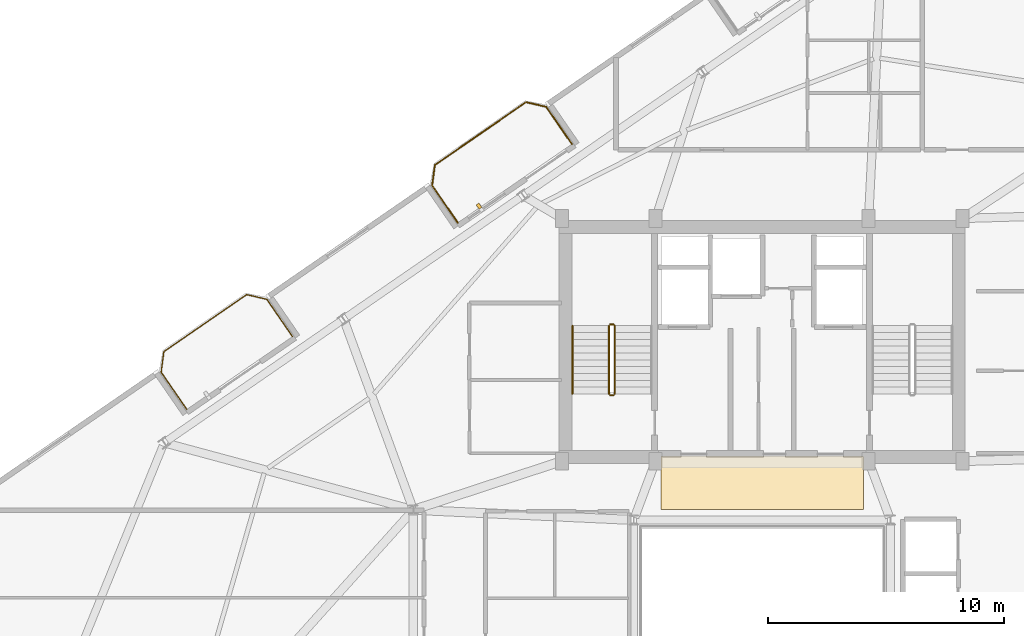
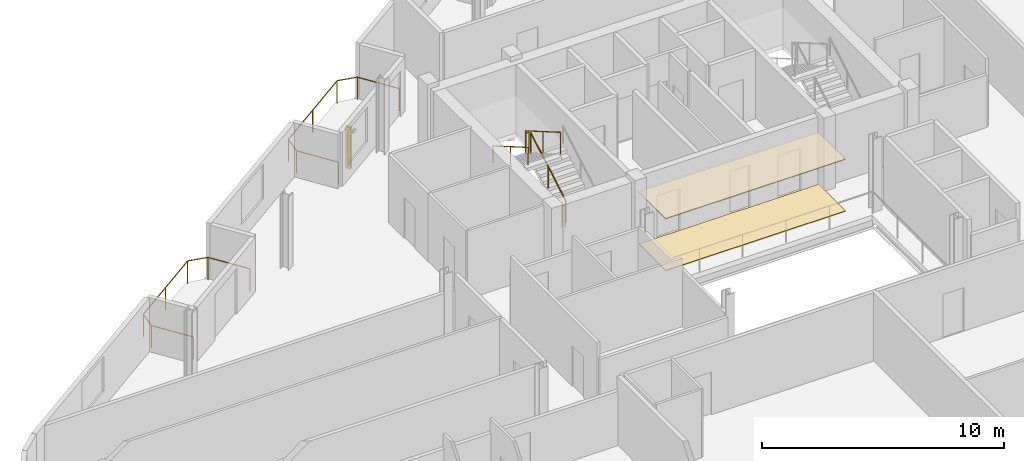
# One storey, part 22 of 23: 7 railings, 2 coverings, 1 shading device.
"""IFC4 building model written with IfcOpenShell, lengths in metres."""

from ifc_helpers import new_model, si_unit, direction, frame, origin, origin_2d, place, context, subcontext, project, spatial, rectangle, circle, extrude, source, transform, mapped, material, layer, layer_set, type_object, element, save


model = new_model("IFC4")

# Units and contexts
model_context = context("Model", 3, precision=1e-05, world=origin(), true_north=direction((0.0, 1.0)))
body_context = subcontext(model_context, "Body", "Model", "MODEL_VIEW")
ifc_project = project(units=[si_unit("LENGTHUNIT", "METRE"), si_unit("AREAUNIT", "SQUARE_METRE"), si_unit("VOLUMEUNIT", "CUBIC_METRE"), si_unit("PLANEANGLEUNIT", "RADIAN"), si_unit("MASSUNIT", "GRAM", prefix="KILO")], contexts=[model_context])

# Site, building, storey
site_placement = place(None, origin())
site = spatial("IfcSite", under=ifc_project, at=site_placement, CompositionType="ELEMENT")
building_placement = place(site_placement, origin())
building = spatial("IfcBuilding", under=site, at=building_placement, Name="Varnelok Gate Tower", CompositionType="ELEMENT")
storey_placement = place(building_placement, frame((0.0, 0.0, 273.0)))
storey = spatial("IfcBuildingStorey", under=building, at=storey_placement, Name="L70", CompositionType="ELEMENT", Elevation=273.0)

# Railings
ifc_material_1 = material(Name="Low-E Laminated Double Glazing IGU", Category="glass")
railing_type_1 = type_object("IfcRailingType", Name="RL-BALC-1150", PredefinedType="BALUSTRADE", material=ifc_material_1)
railing_1_placement = place(storey_placement, frame((14.781982421875, 30.944580078125, 0.0)))
element("IfcRailing", 1, at=railing_1_placement, inside=storey, type_object=railing_type_1, Name="L70 North Terrace Balustrade 4", PredefinedType="BALUSTRADE", context=body_context, shape_type="SweptSolid", body=[
    extrude(circle(Radius=0.02392578125, at=origin_2d()), frame((0.0, 0.0, 1.1259765625), z_axis=(-0.567284155424, 0.82352212296, 0.0), x_axis=(-0.82352212296, -0.567284155424, 0.0)), (0.0, 0.0, 1.0), 1.919921875),
    extrude(circle(Radius=0.02392578125, at=origin_2d()), frame((-1.089111328125, 1.5810546875, 1.1259765625), z_axis=(0.133475040405, 0.991052175008, 0.0), x_axis=(-0.991052175008, 0.133475040405, 0.0)), (0.0, 0.0, 1.0), 0.8779296875),
    extrude(circle(Radius=0.02392578125, at=origin_2d()), frame((-0.971923828125, 2.451171875, 1.1259765625), z_axis=(0.82355749358, 0.567232804735, 0.0), x_axis=(-0.567232804735, 0.82355749358, 0.0)), (0.0, 0.0, 1.0), 4.26708984375),
    extrude(circle(Radius=0.02392578125, at=origin_2d()), frame((2.542236328125, 4.87158203125, 1.1259765625), z_axis=(0.973511928193, -0.228636229993, 0.0), x_axis=(0.228636229993, 0.973511928193, 0.0)), (0.0, 0.0, 1.0), 0.877685546875),
    extrude(circle(Radius=0.02392578125, at=origin_2d()), frame((3.396728515625, 4.6708984375, 1.1259765625), z_axis=(0.567284155424, -0.82352212296, 0.0), x_axis=(0.82352212296, 0.567284155424, 0.0)), (0.0, 0.0, 1.0), 1.919921875),
    extrude(circle(Radius=0.02099609375, at=origin_2d()), origin(), (0.0, 0.0, 1.0), 1.101806640625),
    extrude(circle(Radius=0.02099609375, at=origin_2d()), frame((-1.089111328125, 1.5810546875, 0.0)), (0.0, 0.0, 1.0), 1.101806640625),
    extrude(circle(Radius=0.02099609375, at=origin_2d()), frame((-0.971923828125, 2.451171875, 0.0)), (0.0, 0.0, 1.0), 1.101806640625),
    extrude(circle(Radius=0.02099609375, at=origin_2d()), frame((0.78515625, 3.661376953125, 0.0)), (0.0, 0.0, 1.0), 1.101806640625),
    extrude(circle(Radius=0.02099609375, at=origin_2d()), frame((2.542236328125, 4.87158203125, 0.0)), (0.0, 0.0, 1.0), 1.101806640625),
    extrude(circle(Radius=0.02099609375, at=origin_2d()), frame((3.396728515625, 4.6708984375, 0.0)), (0.0, 0.0, 1.0), 1.101806640625),
    extrude(circle(Radius=0.02099609375, at=origin_2d()), frame((4.48583984375, 3.08984375, 0.0)), (0.0, 0.0, 1.0), 1.101806640625),
])
railing_2_placement = place(storey_placement, frame((26.2841796875, 38.86767578125, 0.0)))
element("IfcRailing", 2, at=railing_2_placement, inside=storey, type_object=railing_type_1, Name="L70 North Terrace Balustrade 5", PredefinedType="BALUSTRADE", context=body_context, shape_type="SweptSolid", body=[
    extrude(circle(Radius=0.02392578125, at=origin_2d()), frame((0.0, 0.0, 1.1259765625), z_axis=(-0.567197904061, 0.82358153065, 0.0), x_axis=(-0.82358153065, -0.567197904061, 0.0)), (0.0, 0.0, 1.0), 1.919677734375),
    extrude(circle(Radius=0.02392578125, at=origin_2d()), frame((-1.0888671875, 1.5810546875, 1.1259765625), z_axis=(0.133238627421, 0.991083986433, 0.0), x_axis=(-0.991083986433, 0.133238627421, 0.0)), (0.0, 0.0, 1.0), 0.877685546875),
    extrude(circle(Radius=0.02392578125, at=origin_2d()), frame((-0.971923828125, 2.450927734375, 1.1259765625), z_axis=(0.823523239622, 0.567282534371, 0.0), x_axis=(-0.567282534371, 0.823523239622, 0.0)), (0.0, 0.0, 1.0), 4.699951171875),
    extrude(circle(Radius=0.02392578125, at=origin_2d()), frame((2.898681640625, 5.1171875, 1.1259765625), z_axis=(0.973526462254, -0.228574336467, 0.0), x_axis=(0.228574336467, 0.973526462254, 0.0)), (0.0, 0.0, 1.0), 0.8779296875),
    extrude(circle(Radius=0.02392578125, at=origin_2d()), frame((3.75341796875, 4.91650390625, 1.1259765625), z_axis=(0.567284155424, -0.82352212296, 0.0), x_axis=(0.82352212296, 0.567284155424, 0.0)), (0.0, 0.0, 1.0), 1.919921875),
    extrude(circle(Radius=0.02099609375, at=origin_2d()), origin(), (0.0, 0.0, 1.0), 1.101806640625),
    extrude(circle(Radius=0.02099609375, at=origin_2d()), frame((-1.0888671875, 1.5810546875, 0.0)), (0.0, 0.0, 1.0), 1.101806640625),
    extrude(circle(Radius=0.02099609375, at=origin_2d()), frame((-0.971923828125, 2.450927734375, 0.0)), (0.0, 0.0, 1.0), 1.101806640625),
    extrude(circle(Radius=0.02099609375, at=origin_2d()), frame((0.96337890625, 3.7841796875, 0.0)), (0.0, 0.0, 1.0), 1.101806640625),
    extrude(circle(Radius=0.02099609375, at=origin_2d()), frame((2.898681640625, 5.1171875, 0.0)), (0.0, 0.0, 1.0), 1.101806640625),
    extrude(circle(Radius=0.02099609375, at=origin_2d()), frame((3.75341796875, 4.91650390625, 0.0)), (0.0, 0.0, 1.0), 1.101806640625),
    extrude(circle(Radius=0.02099609375, at=origin_2d()), frame((4.842529296875, 3.33544921875, 0.0)), (0.0, 0.0, 1.0), 1.101806640625),
])
ifc_material_2 = material(Name="Brushed Stainless Steel AISI 316", Category="steel")
railing_type_2 = type_object("IfcRailingType", Name="RL-HANDRAIL-900", PredefinedType="HANDRAIL", material=ifc_material_2)
railing_3_placement = place(storey_placement, frame((31.14990234375, 34.5, 2.01806640625)))
element("IfcRailing", 3, at=railing_3_placement, inside=storey, type_object=railing_type_2, Name="L70 ST-1 stair handrail 2", PredefinedType="HANDRAIL", context=body_context, shape_type="SweptSolid", body=[
    extrude(circle(Radius=0.02392578125, at=origin_2d()), frame((0.0, 0.0, 0.8759765625), z_axis=(0.0, -0.865038774852, 0.501705010941), x_axis=(1.0, 0.0, 0.0)), (0.0, 0.0, 1.0), 3.352294921875),
    extrude(circle(Radius=0.02099609375, at=origin_2d()), origin(), (0.0, 0.0, 1.0), 0.851806640625),
    extrude(circle(Radius=0.02099609375, at=origin_2d()), frame((0.0, -1.449951171875, 0.8408203125)), (0.0, 0.0, 1.0), 0.851806640625),
    extrude(circle(Radius=0.02099609375, at=origin_2d()), frame((0.0, -2.89990234375, 1.681884765625)), (0.0, 0.0, 1.0), 0.851806640625),
])
ifc_material_3 = material(Name="Galvanized Steel Grade S350GD", Category="steel")
railing_type_3 = type_object("IfcRailingType", Name="RL-STAIR-GUARD1120", PredefinedType="GUARDRAIL", material=ifc_material_3)
railing_4_placement = place(storey_placement, frame((32.949951171875, 31.60009765625, 0.168212890625)))
element("IfcRailing", 4, at=railing_4_placement, inside=storey, type_object=railing_type_3, Name="L70 ST-1 stair guard 1", PredefinedType="GUARDRAIL", context=body_context, shape_type="SweptSolid", body=[
    extrude(circle(Radius=0.02392578125, at=origin_2d()), frame((0.0, 0.0, 1.09619140625), z_axis=(0.0, 0.865038774852, 0.501705010941), x_axis=(-1.0, 0.0, 0.0)), (0.0, 0.0, 1.0), 3.352294921875),
    extrude(circle(Radius=0.02099609375, at=origin_2d()), origin(), (0.0, 0.0, 1.0), 1.072021484375),
    extrude(circle(Radius=0.02099609375, at=origin_2d()), frame((0.0, 1.449951171875, 0.8408203125)), (0.0, 0.0, 1.0), 1.072021484375),
    extrude(circle(Radius=0.02099609375, at=origin_2d()), frame((0.0, 2.89990234375, 1.681884765625)), (0.0, 0.0, 1.0), 1.072021484375),
])
railing_5_placement = place(storey_placement, frame((32.89990234375, 34.550048828125, 1.85009765625)))
element("IfcRailing", 5, at=railing_5_placement, inside=storey, type_object=railing_type_3, Name="L70 ST-1 stair guard 2", PredefinedType="GUARDRAIL", context=body_context, shape_type="SweptSolid", body=[
    extrude(circle(Radius=0.02392578125, at=origin_2d()), frame((0.0, 0.0, 1.09619140625), z_axis=(-1.0, 0.0, 0.0), x_axis=(0.0, -1.0, 0.0)), (0.0, 0.0, 1.0), 0.14990234375),
    extrude(circle(Radius=0.02099609375, at=origin_2d()), origin(), (0.0, 0.0, 1.0), 1.072021484375),
    extrude(circle(Radius=0.02099609375, at=origin_2d()), frame((-0.14990234375, 0.0, 0.0)), (0.0, 0.0, 1.0), 1.072021484375),
])
railing_6_placement = place(storey_placement, frame((32.699951171875, 34.5, 2.01806640625)))
element("IfcRailing", 6, at=railing_6_placement, inside=storey, type_object=railing_type_3, Name="L70 ST-1 stair guard 3", PredefinedType="GUARDRAIL", context=body_context, shape_type="SweptSolid", body=[
    extrude(circle(Radius=0.02392578125, at=origin_2d()), frame((0.0, 0.0, 1.09619140625), z_axis=(0.0, -0.865038774852, 0.501705010941), x_axis=(1.0, 0.0, 0.0)), (0.0, 0.0, 1.0), 3.352294921875),
    extrude(circle(Radius=0.02099609375, at=origin_2d()), origin(), (0.0, 0.0, 1.0), 1.072021484375),
    extrude(circle(Radius=0.02099609375, at=origin_2d()), frame((0.0, -1.449951171875, 0.8408203125)), (0.0, 0.0, 1.0), 1.072021484375),
    extrude(circle(Radius=0.02099609375, at=origin_2d()), frame((0.0, -2.89990234375, 1.681884765625)), (0.0, 0.0, 1.0), 1.072021484375),
])
railing_7_placement = place(storey_placement, frame((32.89990234375, 31.550048828125, 0.0)))
element("IfcRailing", 7, at=railing_7_placement, inside=storey, type_object=railing_type_3, Name="L70 ST-1 stair guard 4", PredefinedType="GUARDRAIL", context=body_context, shape_type="SweptSolid", body=[
    extrude(circle(Radius=0.02392578125, at=origin_2d()), frame((0.0, 0.0, 1.09619140625), z_axis=(-1.0, 0.0, 0.0), x_axis=(0.0, -1.0, 0.0)), (0.0, 0.0, 1.0), 0.14990234375),
    extrude(circle(Radius=0.02099609375, at=origin_2d()), origin(), (0.0, 0.0, 1.0), 1.072021484375),
    extrude(circle(Radius=0.02099609375, at=origin_2d()), frame((-0.14990234375, 0.0, 0.0)), (0.0, 0.0, 1.0), 1.072021484375),
])

# Shading device
ifc_material_4 = material(Name="Glazed Architectural Terracotta Ceramic", Category="masonry")
shading_device_type = type_object("IfcShadingDeviceType", Name="SHD-TERRA-BAGUETTE", PredefinedType="USERDEFINED", material=ifc_material_4)
shared_shape_1 = source(origin(), body_context, "Body", "SweptSolid", [
    extrude(rectangle(XDim=0.139892578125, YDim=0.219970703125, at=origin_2d()), origin(), (0.0, 0.0, 1.0), 2.10009765625),
])
shading_device_placement = place(storey_placement, frame((27.18359375, 39.572021484375, 0.099853515625), z_axis=(0.0, 0.0, 1.0), x_axis=(0.823532597628, 0.567268949127, 0.0)))
element("IfcShadingDevice", 8, at=shading_device_placement, inside=storey, type_object=shading_device_type, Name="L70 Terracotta Ceramic Baguette Sunscreen 5.1", ObjectType="BAGUETTE", PredefinedType="USERDEFINED", context=body_context, shape_type="MappedRepresentation", body=[
    mapped(shared_shape_1, transform((0.0, 0.0, 0.0), scale=1.0)),
])

# Coverings
ifc_material_5 = material(Name="Honed Travertine Stone Flooring", Category="masonry")
ifc_layer_1 = layer(ifc_material_5, 0.02490234375)
ifc_layer_set_1 = layer_set([ifc_layer_1], Name="Honed Travertine Stone Flooring")
covering_type_1 = type_object("IfcCoveringType", Name="COV-FLOR-STONE", PredefinedType="FLOORING", material=ifc_layer_set_1)
shared_shape_2 = source(origin(), body_context, "Body", "SweptSolid", [
    extrude(rectangle(XDim=8.60009765625, YDim=2.219970703125, at=origin_2d()), origin(), (0.0, 0.0, 1.0), 0.02490234375),
])
covering_1_placement = place(storey_placement, frame((39.199951171875, 27.800048828125, 0.0), z_axis=(0.0, 0.0, 1.0), x_axis=(1.0, 0.0, 0.0)))
element("IfcCovering", 9, at=covering_1_placement, inside=storey, type_object=covering_type_1, Name="L70 Core Gallery Stone Flooring", PredefinedType="FLOORING", context=body_context, shape_type="MappedRepresentation", body=[
    mapped(shared_shape_2, transform((0.0, 0.0, 0.0), scale=1.0)),
])
ifc_material_6 = material(Name="Mineral Fiber Acoustic Ceiling Tile")
ifc_layer_2 = layer(ifc_material_6, 0.0400390625)
ifc_layer_set_2 = layer_set([ifc_layer_2], Name="Mineral Fiber Acoustic Ceiling Tile")
covering_type_2 = type_object("IfcCoveringType", Name="COV-CEIL-ACOUST", PredefinedType="CEILING", material=ifc_layer_set_2)
shared_shape_3 = source(origin(), body_context, "Body", "SweptSolid", [
    extrude(rectangle(XDim=8.60009765625, YDim=2.239990234375, at=origin_2d()), origin(), (0.0, 0.0, 1.0), 0.0400390625),
])
covering_2_placement = place(storey_placement, frame((39.199951171875, 27.820068359375, 2.60009765625), z_axis=(0.0, 0.0, 1.0), x_axis=(1.0, 0.0, 0.0)))
element("IfcCovering", 10, at=covering_2_placement, inside=storey, type_object=covering_type_2, Name="L70 Core Gallery Acoustic Ceiling", PredefinedType="CEILING", context=body_context, shape_type="MappedRepresentation", body=[
    mapped(shared_shape_3, transform((0.0, 0.0, 0.0), scale=1.0)),
])

save(model, "model.ifc")
